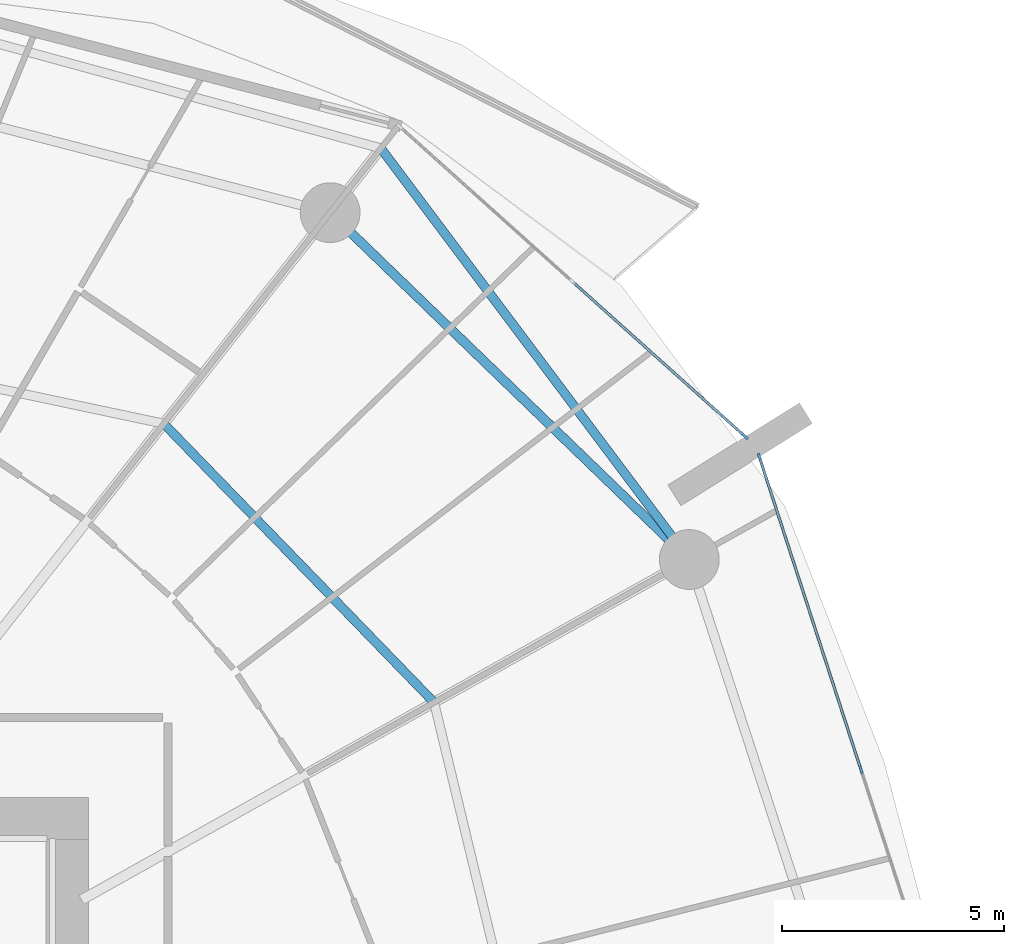
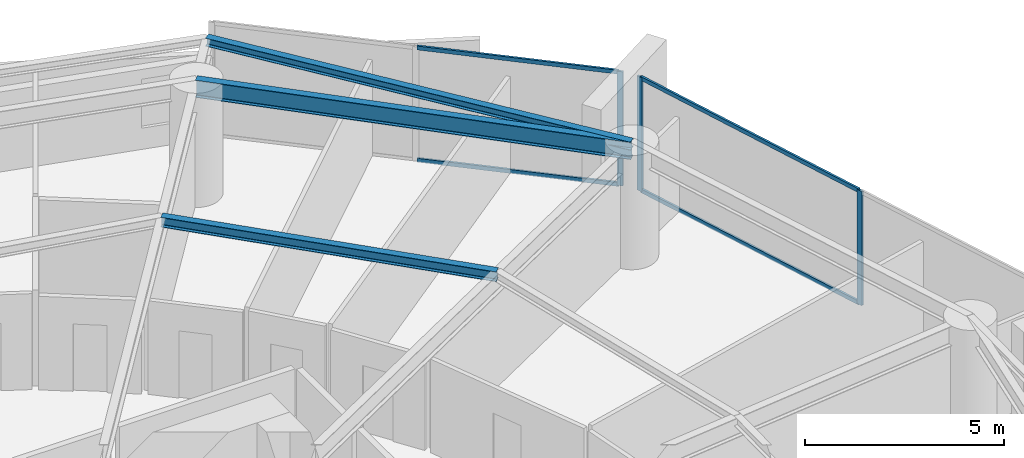
# One storey, part 15 of 31: 7 members, 3 beams, 2 elements without a shape of their own.
"""IFC4 building model written with IfcOpenShell, lengths in metres."""

from ifc_helpers import new_model, si_unit, direction, frame, origin, origin_2d, place, context, subcontext, project, spatial, rectangle, i_section, extrude, material, layer, layer_set, material_profile, profile_set, type_object, element, aggregate, save


model = new_model("IFC4")

# Units and contexts
model_context = context("Model", 3, precision=1e-05, world=origin(), true_north=direction((0.0, 1.0)))
body_context = subcontext(model_context, "Body", "Model", "MODEL_VIEW")
ifc_project = project(units=[si_unit("LENGTHUNIT", "METRE"), si_unit("AREAUNIT", "SQUARE_METRE"), si_unit("VOLUMEUNIT", "CUBIC_METRE"), si_unit("PLANEANGLEUNIT", "RADIAN"), si_unit("MASSUNIT", "GRAM", prefix="KILO")], contexts=[model_context])

# Site, building, storey
site_placement = place(None, origin())
site = spatial("IfcSite", under=ifc_project, at=site_placement, CompositionType="ELEMENT")
building_placement = place(site_placement, origin())
building = spatial("IfcBuilding", under=site, at=building_placement, Name="Kazma Halo Residences", CompositionType="ELEMENT")
storey_placement = place(building_placement, frame((0.0, 0.0, 48.89990234375)))
storey = spatial("IfcBuildingStorey", under=building, at=storey_placement, Name="L11", CompositionType="ELEMENT", Elevation=48.89990234375)

# Beams
ifc_material_1 = material(Name="Steel S355", Category="steel")
ifc_material_profile_1 = material_profile(ifc_material_1, i_section(OverallWidth=0.201904296875, OverallDepth=0.2470703125, WebThickness=0.00732421875, FlangeThickness=0.010986328125, FilletRadius=0.011962890625, at=origin_2d()), Name="W250x49.1")
ifc_profile_set_1 = profile_set([ifc_material_profile_1], Name="Steel S355")
beam_type_1 = type_object("IfcBeamType", Name="BM-BAL-CANT", PredefinedType="BEAM", material=ifc_profile_set_1)
beam_1_placement = place(storey_placement, frame((73.56494140625, 56.317138671875, 3.376708984375), z_axis=(-0.600026935007, 0.799979798037, 0.0), x_axis=(-0.799979798037, -0.600026935007, 0.0)))
element("IfcBeam", 1, at=beam_1_placement, inside=storey, type_object=beam_type_1, Name="L11 wave-balcony lead tie beam 01", PredefinedType="BEAM", context=body_context, shape_type="SweptSolid", body=[
    extrude(i_section(OverallWidth=0.201904296875, OverallDepth=0.2470703125, WebThickness=0.00732421875, FlangeThickness=0.010986328125, FilletRadius=0.011962890625, at=origin_2d()), origin(), (0.0, 0.0, 1.0), 11.601806640625),
])
ifc_material_profile_2 = material_profile(ifc_material_1, i_section(OverallWidth=0.202880859375, OverallDepth=0.302978515625, WebThickness=0.007568359375, FlangeThickness=0.01318359375, FilletRadius=0.013916015625, at=origin_2d()), Name="W310x60")
ifc_profile_set_2 = profile_set([ifc_material_profile_2], Name="Steel S355")
beam_type_2 = type_object("IfcBeamType", Name="BM-SEC-W310A", PredefinedType="JOIST", material=ifc_profile_set_2)
beam_2_placement = place(storey_placement, frame((67.8046875, 53.09130859375, 3.3486328125), z_axis=(-0.696130608567, 0.717915159205, 0.0), x_axis=(-0.717915159205, -0.696130608567, 0.0)))
element("IfcBeam", 2, at=beam_2_placement, inside=storey, type_object=beam_type_2, Name="L11 circumferential floor joist 01", PredefinedType="JOIST", context=body_context, shape_type="SweptSolid", body=[
    extrude(i_section(OverallWidth=0.202880859375, OverallDepth=0.302978515625, WebThickness=0.007568359375, FlangeThickness=0.01318359375, FilletRadius=0.013916015625, at=origin_2d()), origin(), (0.0, 0.0, 1.0), 8.763916015625),
])
ifc_material_profile_3 = material_profile(ifc_material_1, i_section(OverallWidth=0.208984375, OverallDepth=0.532958984375, WebThickness=0.01025390625, FlangeThickness=0.015625, FilletRadius=0.01611328125, at=origin_2d()), Name="W530x92")
ifc_profile_set_3 = profile_set([ifc_material_profile_3], Name="Steel S355")
beam_type_3 = type_object("IfcBeamType", Name="BM-SPN-W530", PredefinedType="BEAM", material=ifc_profile_set_3)
beam_3_placement = place(storey_placement, frame((73.56494140625, 56.317138671875, 3.233642578125), z_axis=(-0.719336506967, 0.694661780829, 0.0), x_axis=(-0.694661780829, -0.719336506967, 0.0)))
element("IfcBeam", 3, at=beam_3_placement, inside=storey, type_object=beam_type_3, Name="L11 perimeter ring beam 01", PredefinedType="BEAM", context=body_context, shape_type="SweptSolid", body=[
    extrude(i_section(OverallWidth=0.208984375, OverallDepth=0.532958984375, WebThickness=0.01025390625, FlangeThickness=0.015625, FilletRadius=0.01611328125, at=origin_2d()), origin(), (0.0, 0.0, 1.0), 11.269775390625),
])

# Curtain wall, member
ifc_material_2 = material(Name="Aluminium AW-6063 T6 and Triple-Silver Low-E Glass", Category="aluminium")
ifc_layer = layer(ifc_material_2, 0.159912109375)
ifc_layer_set = layer_set([ifc_layer], Name="Aluminium AW-6063 T6 and Triple-Silver Low-E Glass")
curtain_wall_type = type_object("IfcCurtainWallType", Name="CW-SYS-2", PredefinedType="NOTDEFINED", material=ifc_layer_set)
curtain_wall_1_placement = place(storey_placement, origin())
curtain_wall_1 = element("IfcCurtainWall", 4, at=curtain_wall_1_placement, inside=storey, type_object=curtain_wall_type, Name="L11 unitised curtain wall B01", PredefinedType="NOTDEFINED")
ifc_material_3 = material(Name="Aluminium AW-6063 T6", Category="aluminium")
ifc_material_profile_4 = material_profile(ifc_material_3, rectangle(XDim=0.06005859375, YDim=0.159912109375, at=origin_2d()), Name="CWM-60x160")
ifc_profile_set_4 = profile_set([ifc_material_profile_4], Name="Aluminium AW-6063 T6")
member_type_1 = type_object("IfcMemberType", Name="CW-SYS-2-MUL", PredefinedType="MULLION", material=ifc_profile_set_4)
member_1_placement = place(storey_placement, frame((74.82666015625, 59.091796875, 0.0), z_axis=(0.0, 0.0, 1.0), x_axis=(-0.667821453854, -0.744321506993, 0.0)))
member_1 = element("IfcMember", 5, at=member_1_placement, type_object=member_type_1, Name="CWS-2 mullion 1", PredefinedType="MULLION", context=body_context, shape_type="SweptSolid", body=[
    extrude(rectangle(XDim=0.06005859375, YDim=0.159912109375, at=origin_2d()), origin(), (0.0, 0.0, 1.0), 3.5),
])

# Curtain wall, members
curtain_wall_2_placement = place(storey_placement, origin())
curtain_wall_2 = element("IfcCurtainWall", 6, at=curtain_wall_2_placement, inside=storey, type_object=curtain_wall_type, Name="L11 unitised curtain wall B16", PredefinedType="NOTDEFINED")
member_2_placement = place(storey_placement, frame((77.44189453125, 51.56640625, 0.0), z_axis=(0.0, 0.0, 1.0), x_axis=(-0.95105652404, -0.309016970539, 0.0)))
member_2 = element("IfcMember", 7, at=member_2_placement, type_object=member_type_1, Name="CWS-2 mullion 2", PredefinedType="MULLION", context=body_context, shape_type="SweptSolid", body=[
    extrude(rectangle(XDim=0.06005859375, YDim=0.159912109375, at=origin_2d()), origin(), (0.0, 0.0, 1.0), 3.5),
])
member_3_placement = place(storey_placement, frame((75.145751953125, 58.63330078125, 0.0), z_axis=(0.0, 0.0, 1.0), x_axis=(-0.95105652404, -0.309016970539, 0.0)))
member_3 = element("IfcMember", 8, at=member_3_placement, type_object=member_type_1, Name="CWS-2 mullion 3", PredefinedType="MULLION", context=body_context, shape_type="SweptSolid", body=[
    extrude(rectangle(XDim=0.06005859375, YDim=0.159912109375, at=origin_2d()), origin(), (0.0, 0.0, 1.0), 3.5),
])

# Member
ifc_material_profile_5 = material_profile(ifc_material_3, rectangle(XDim=0.06005859375, YDim=0.1201171875, at=origin_2d()), Name="CWT-60x120")
ifc_profile_set_5 = profile_set([ifc_material_profile_5], Name="Aluminium AW-6063 T6")
member_type_2 = type_object("IfcMemberType", Name="CW-SYS-2-TRN", PredefinedType="USERDEFINED", material=ifc_profile_set_5)
member_4_placement = place(storey_placement, frame((74.80419921875, 59.11181640625, 0.030029296875), z_axis=(-0.744329408538, 0.66781264707, 0.0), x_axis=(-0.66781264707, -0.744329408538, 0.0)))
member_4 = element("IfcMember", 9, at=member_4_placement, type_object=member_type_2, Name="CWS-2 transom 1.1", ObjectType="TRANSOM", PredefinedType="USERDEFINED", context=body_context, shape_type="SweptSolid", body=[
    extrude(rectangle(XDim=0.06005859375, YDim=0.1201171875, at=origin_2d()), origin(), (0.0, 0.0, 1.0), 5.178466796875),
])

member_5_placement = place(storey_placement, frame((74.80419921875, 59.11181640625, 3.47021484375), z_axis=(-0.744329408538, 0.66781264707, 0.0), x_axis=(-0.66781264707, -0.744329408538, 0.0)))
member_5 = element("IfcMember", 10, at=member_5_placement, type_object=member_type_2, Name="CWS-2 transom 1.2", ObjectType="TRANSOM", PredefinedType="USERDEFINED", context=body_context, shape_type="SweptSolid", body=[
    extrude(rectangle(XDim=0.06005859375, YDim=0.1201171875, at=origin_2d()), origin(), (0.0, 0.0, 1.0), 5.178466796875),
])

aggregate(curtain_wall_1, [member_1, member_4, member_5])

member_6_placement = place(storey_placement, frame((77.4326171875, 51.5947265625, 0.030029296875), z_axis=(-0.309004433966, 0.951060597328, 0.0), x_axis=(-0.951060597328, -0.309004433966, 0.0)))
member_6 = element("IfcMember", 11, at=member_6_placement, type_object=member_type_2, Name="CWS-2 transom 2.1", ObjectType="TRANSOM", PredefinedType="USERDEFINED", context=body_context, shape_type="SweptSolid", body=[
    extrude(rectangle(XDim=0.06005859375, YDim=0.1201171875, at=origin_2d()), origin(), (0.0, 0.0, 1.0), 7.370849609375),
])

member_7_placement = place(storey_placement, frame((77.4326171875, 51.5947265625, 3.47021484375), z_axis=(-0.309004433966, 0.951060597328, 0.0), x_axis=(-0.951060597328, -0.309004433966, 0.0)))
member_7 = element("IfcMember", 12, at=member_7_placement, type_object=member_type_2, Name="CWS-2 transom 2.2", ObjectType="TRANSOM", PredefinedType="USERDEFINED", context=body_context, shape_type="SweptSolid", body=[
    extrude(rectangle(XDim=0.06005859375, YDim=0.1201171875, at=origin_2d()), origin(), (0.0, 0.0, 1.0), 7.370849609375),
])

aggregate(curtain_wall_2, [member_2, member_3, member_6, member_7])

save(model, "model.ifc")
